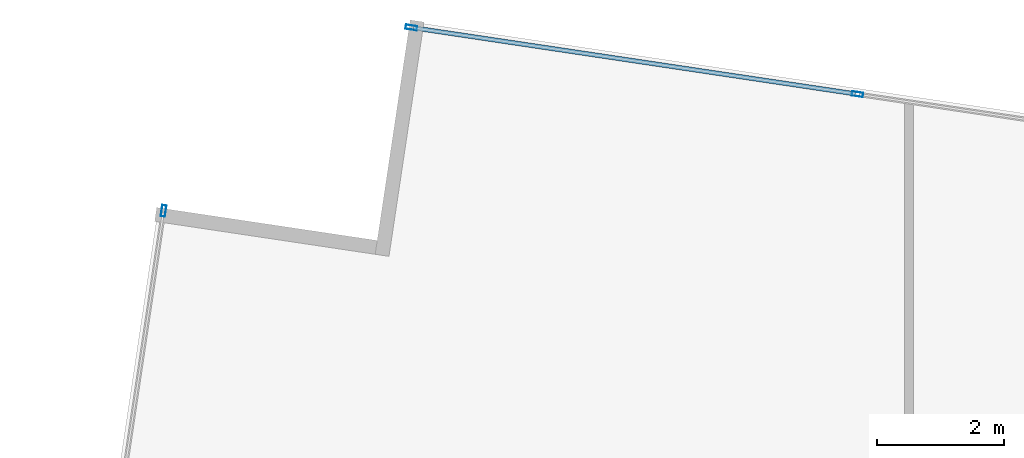
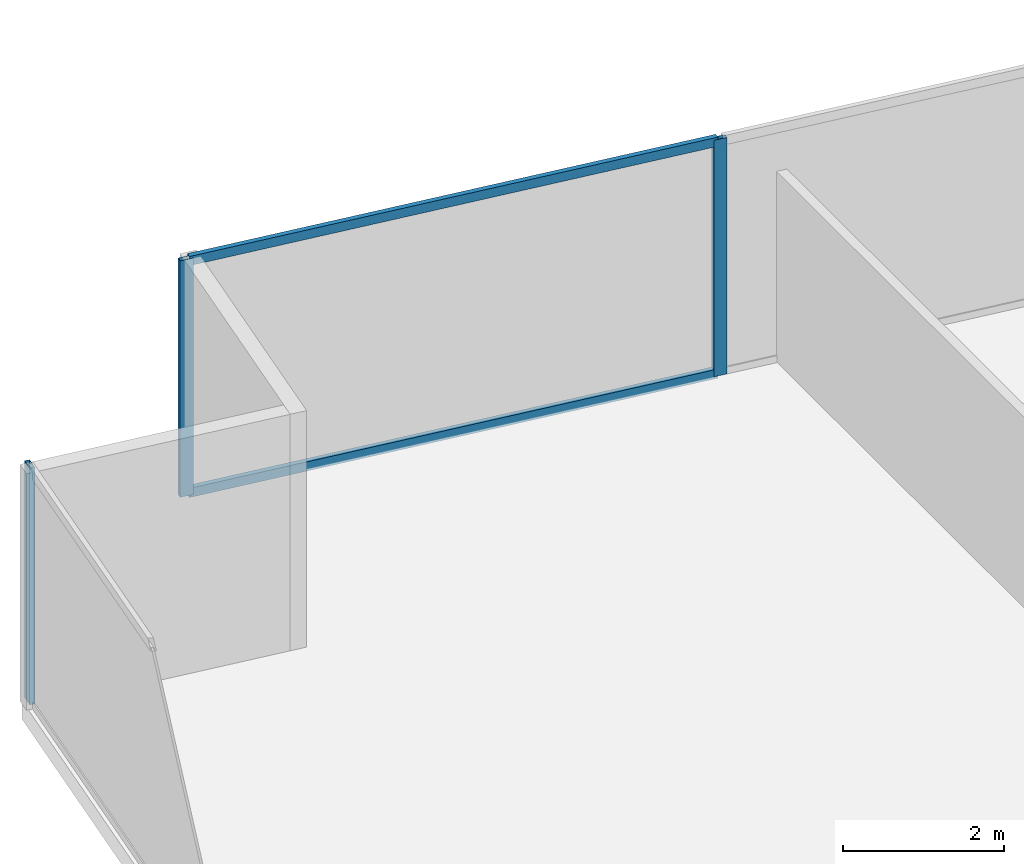
# One storey, part 18 of 29: 5 members, 2 elements without a shape of their own.
"""IFC4 building model written with IfcOpenShell, lengths in metres."""

from ifc_helpers import new_model, si_unit, direction, frame, origin, origin_2d, place, context, subcontext, project, spatial, hollow_rectangle, extrude, source, transform, mapped, material, material_profile, profile_set, type_object, type_shapes, element, aggregate, save


model = new_model("IFC4")

# Units and contexts
model_context = context("Model", 3, precision=1e-05, world=origin(), true_north=direction((0.0, 1.0)))
body_context = subcontext(model_context, "Body", "Model", "MODEL_VIEW")
ifc_project = project(units=[si_unit("LENGTHUNIT", "METRE"), si_unit("AREAUNIT", "SQUARE_METRE"), si_unit("VOLUMEUNIT", "CUBIC_METRE"), si_unit("PLANEANGLEUNIT", "RADIAN"), si_unit("MASSUNIT", "GRAM", prefix="KILO")], contexts=[model_context])

# Site, building, storey
site_placement = place(None, origin())
site = spatial("IfcSite", under=ifc_project, at=site_placement, CompositionType="ELEMENT")
building_placement = place(site_placement, origin())
building = spatial("IfcBuilding", under=site, at=building_placement, Name="Krantzveldt Concourse Tower", CompositionType="ELEMENT")
storey_placement = place(building_placement, frame((0.0, 0.0, 76.35009765625)))
storey = spatial("IfcBuildingStorey", under=building, at=storey_placement, Name="L18", CompositionType="ELEMENT", Elevation=76.35009765625)

# Curtain wall, members
ifc_material = material(Name="Anodised aluminium 6063-T6", Category="aluminium")
curtain_wall_type = type_object("IfcCurtainWallType", Name="CW2", PredefinedType="USERDEFINED", material=ifc_material)
curtain_wall_1_placement = place(storey_placement, origin())
curtain_wall_1 = element("IfcCurtainWall", 1, at=curtain_wall_1_placement, inside=storey, type_object=curtain_wall_type, Name="CW-L18-F10", ObjectType="UNITISED CURTAIN WALL", PredefinedType="USERDEFINED")
ifc_material_profile_1 = material_profile(ifc_material, hollow_rectangle(XDim=0.070068359375, YDim=0.139892578125, WallThickness=0.0048828125, at=origin_2d()), Name="Anodised aluminium 6063-T6", Category="aluminium")
ifc_profile_set_1 = profile_set([ifc_material_profile_1], Name="Anodised aluminium 6063-T6 - ALU-TRAN 140x70x5")
member_type_1 = type_object("IfcMemberType", Name="CW-TRN-150", PredefinedType="USERDEFINED", material=ifc_profile_set_1)
shared_shape_1 = source(origin(), body_context, "Body", "SweptSolid", [
    extrude(hollow_rectangle(XDim=0.070068359375, YDim=0.139892578125, WallThickness=0.0048828125, at=origin_2d()), origin(), (0.0, 0.0, 1.0), 7.061767578125),
])
type_shapes(member_type_1, [shared_shape_1])
member_1_placement = place(storey_placement, frame((25.471435546875, 53.460205078125, 0.034912109375), z_axis=(-0.989017605897, 0.147797751082, 0.0), x_axis=(-0.147797751082, -0.989017605897, 0.0)))
member_1 = element("IfcMember", 2, at=member_1_placement, type_object=member_type_1, Name="CW-Z12 transom 6.1", ObjectType="TRANSOM", PredefinedType="USERDEFINED", context=body_context, shape_type="MappedRepresentation", body=[
    mapped(shared_shape_1, transform((0.0, 0.0, 0.0), x_axis=(1.0, 0.0, 0.0), y_axis=(0.0, 1.0, 0.0), z_axis=(0.0, 0.0, 1.0), scale=1.0)),
])
member_2_placement = place(storey_placement, frame((25.471435546875, 53.460205078125, 3.554931640625), z_axis=(-0.989017605897, 0.147797751082, 0.0), x_axis=(-0.147797751082, -0.989017605897, 0.0)))
member_2 = element("IfcMember", 3, at=member_2_placement, type_object=member_type_1, Name="CW-Z12 transom 6.2", ObjectType="TRANSOM", PredefinedType="USERDEFINED", context=body_context, shape_type="MappedRepresentation", body=[
    mapped(shared_shape_1, transform((0.0, 0.0, 0.0), x_axis=(1.0, 0.0, 0.0), y_axis=(0.0, 1.0, 0.0), z_axis=(0.0, 0.0, 1.0), scale=1.0)),
])

# Curtain wall, member
curtain_wall_2_placement = place(storey_placement, origin())
curtain_wall_2 = element("IfcCurtainWall", 4, at=curtain_wall_2_placement, inside=storey, type_object=curtain_wall_type, Name="CW-L18-F01", ObjectType="UNITISED CURTAIN WALL", PredefinedType="USERDEFINED")
ifc_material_profile_2 = material_profile(ifc_material, hollow_rectangle(XDim=0.070068359375, YDim=0.179931640625, WallThickness=0.0048828125, at=origin_2d()), Name="Anodised aluminium 6063-T6", Category="aluminium")
ifc_profile_set_2 = profile_set([ifc_material_profile_2], Name="Anodised aluminium 6063-T6 - ALU-MULL 180x70x5")
member_type_2 = type_object("IfcMemberType", Name="CW-MUL-180", PredefinedType="MULLION", material=ifc_profile_set_2)
shared_shape_2 = source(origin(), body_context, "Body", "SweptSolid", [
    extrude(hollow_rectangle(XDim=0.070068359375, YDim=0.179931640625, WallThickness=0.0048828125, at=origin_2d()), origin(), (0.0, 0.0, 1.0), 3.58984375),
])
type_shapes(member_type_2, [shared_shape_2])
member_3_placement = place(storey_placement, frame((14.536376953125, 51.611083984375, 0.0), z_axis=(0.0, 0.0, 1.0), x_axis=(0.989015849271, -0.147809505412, 0.0)))
member_3 = element("IfcMember", 5, at=member_3_placement, type_object=member_type_2, Name="CW-Z12 mullion 1", PredefinedType="MULLION", context=body_context, shape_type="MappedRepresentation", body=[
    mapped(shared_shape_2, transform((0.0, 0.0, 0.0), x_axis=(1.0, 0.0, 0.0), y_axis=(0.0, 1.0, 0.0), z_axis=(0.0, 0.0, 1.0), scale=1.0)),
])
aggregate(curtain_wall_2, [member_3])

# Member
member_4_placement = place(storey_placement, frame((25.506103515625, 53.455078125, 0.0), z_axis=(0.0, 0.0, 1.0), x_axis=(-0.147809505412, -0.989015849271, 0.0)))
member_4 = element("IfcMember", 6, at=member_4_placement, type_object=member_type_2, Name="CW-Z12 mullion 6", PredefinedType="MULLION", context=body_context, shape_type="MappedRepresentation", body=[
    mapped(shared_shape_2, transform((0.0, 0.0, 0.0), x_axis=(1.0, 0.0, 0.0), y_axis=(0.0, 1.0, 0.0), z_axis=(0.0, 0.0, 1.0), scale=1.0)),
])

member_5_placement = place(storey_placement, frame((18.45263671875, 54.509033203125, 0.0), z_axis=(0.0, 0.0, 1.0), x_axis=(-0.147809505412, -0.989015849271, 0.0)))
member_5 = element("IfcMember", 7, at=member_5_placement, type_object=member_type_2, Name="CW-Z12 mullion 7", PredefinedType="MULLION", context=body_context, shape_type="MappedRepresentation", body=[
    mapped(shared_shape_2, transform((0.0, 0.0, 0.0), x_axis=(1.0, 0.0, 0.0), y_axis=(0.0, 1.0, 0.0), z_axis=(0.0, 0.0, 1.0), scale=1.0)),
])

aggregate(curtain_wall_1, [member_4, member_5, member_1, member_2])

save(model, "model.ifc")
